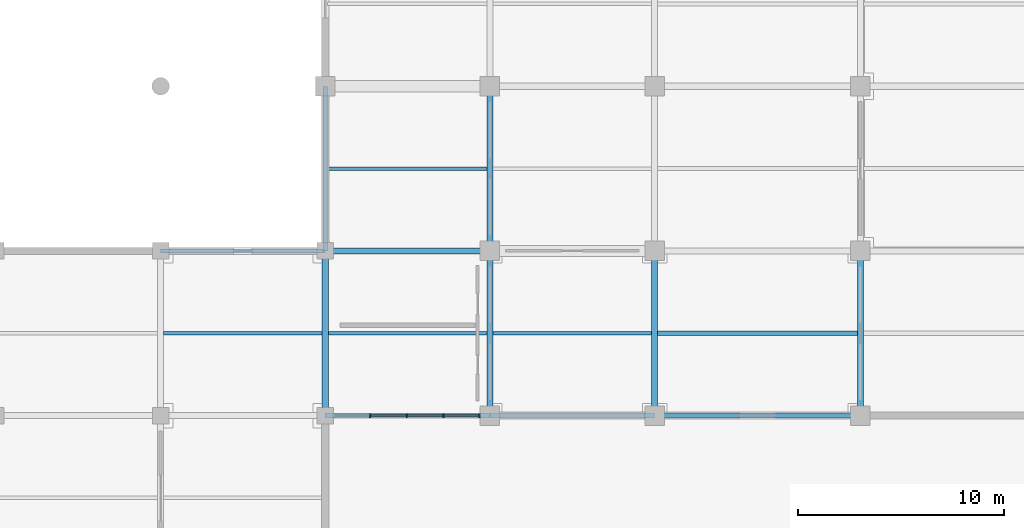
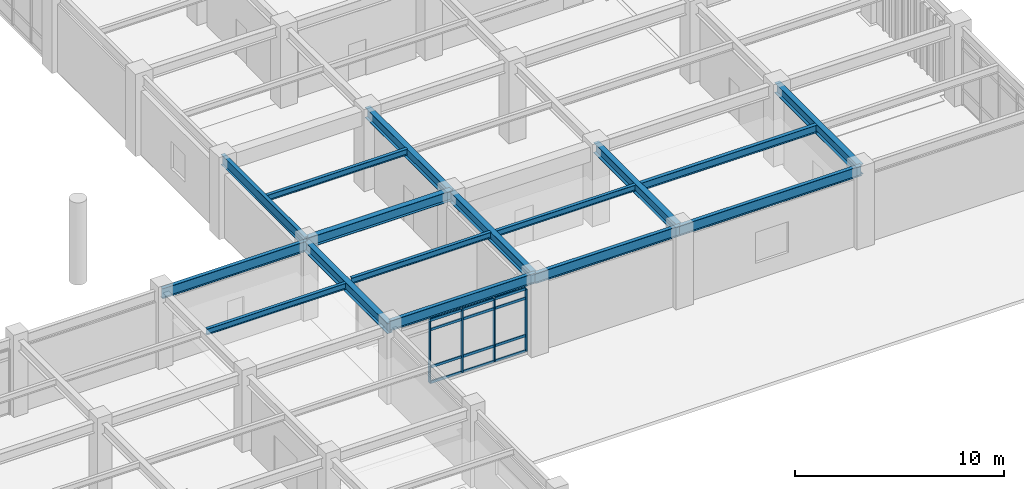
# One storey, part 27 of 109: 16 beams, 16 members, 1 element without a shape of its own.
"""IFC4 building model written with IfcOpenShell, lengths in metres."""

from ifc_helpers import new_model, si_unit, direction, frame, origin, origin_2d, place, context, subcontext, project, spatial, rectangle, i_section, extrude, material, layer, layer_set, material_profile, profile_set, type_object, element, aggregate, save


model = new_model("IFC4")

# Units and contexts
model_context = context("Model", 3, precision=1e-05, world=origin(), true_north=direction((0.0, 1.0)))
body_context = subcontext(model_context, "Body", "Model", "MODEL_VIEW")
ifc_project = project(units=[si_unit("LENGTHUNIT", "METRE"), si_unit("AREAUNIT", "SQUARE_METRE"), si_unit("VOLUMEUNIT", "CUBIC_METRE"), si_unit("PLANEANGLEUNIT", "RADIAN"), si_unit("MASSUNIT", "GRAM", prefix="KILO")], contexts=[model_context])

# Site, building, storey
site_placement = place(None, origin())
site = spatial("IfcSite", under=ifc_project, at=site_placement, CompositionType="ELEMENT")
building_placement = place(site_placement, origin())
building = spatial("IfcBuilding", under=site, at=building_placement, Name="Haebicheon Civic Stadium", CompositionType="ELEMENT")
storey_placement = place(building_placement, frame((0.0, 0.0, 9.60009765625)))
storey = spatial("IfcBuildingStorey", under=building, at=storey_placement, Name="L03", CompositionType="ELEMENT", Elevation=9.60009765625)

# Beams
ifc_material_1 = material(Name="Steel SM355 (S355)", Category="steel")
ifc_material_profile_1 = material_profile(ifc_material_1, i_section(OverallWidth=0.300048828125, OverallDepth=0.60009765625, WebThickness=0.011962890625, FlangeThickness=0.02001953125, at=origin_2d()), Name="H-600x300x12x20")
ifc_profile_set_1 = profile_set([ifc_material_profile_1], Name="Steel SM355 (S355)")
beam_type_1 = type_object("IfcBeamType", Name="BM-ST-H600A", PredefinedType="BEAM", material=ifc_profile_set_1)
for number, where, z_axis, x_axis, name in (
    (1, (200.0, 40.0, 4.099853515625), (0.0, 1.0, 0.0), (-1.0, 0.0, 0.0), "L03 girder 26/F-G"),
    (2, (208.0, 40.0, 4.239990234375), (0.0, 1.0, 0.0), (-1.0, 0.0, 0.0), "L03 girder 27/F-G"),
    (3, (208.0, 48.0, 4.239990234375), (0.0, 1.0, 0.0), (-1.0, 0.0, 0.0), "L03 girder 27/G-H"),
    (4, (216.0, 40.0, 4.239990234375), (0.0, 1.0, 0.0), (-1.0, 0.0, 0.0), "L03 girder 28/F-G"),
    (5, (226.0, 40.0, 4.239990234375), (0.0, 1.0, 0.0), (-1.0, 0.0, 0.0), "L03 girder 29/F-G"),
    (6, (200.0, 48.0, 4.27978515625), (1.0, 0.0, 0.0), (0.0, 1.0, 0.0), "L03 beam G/26-27"),
):
    element("IfcBeam", number, at=place(storey_placement, frame(where, z_axis=z_axis, x_axis=x_axis)), inside=storey, type_object=beam_type_1, material=ifc_profile_set_1, Name=name, PredefinedType="BEAM", context=body_context, shape_type="SweptSolid", body=[
        extrude(i_section(OverallWidth=0.300048828125, OverallDepth=0.60009765625, WebThickness=0.011962890625, FlangeThickness=0.02001953125, at=origin_2d()), origin(), (0.0, 0.0, 1.0), 8.0),
    ])

# Curtain wall, members
ifc_material_2 = material(Name="Anodised aluminium and laminated glass", Category="aluminium")
ifc_layer = layer(ifc_material_2, 0.179931640625, Name="Anodised aluminium and laminated glass")
ifc_layer_set = layer_set([ifc_layer], Name="Anodised aluminium and laminated glass")
curtain_wall_type = type_object("IfcCurtainWallType", Name="CW-7125x3630", PredefinedType="NOTDEFINED", material=ifc_layer_set)
curtain_wall_placement = place(storey_placement, origin())
curtain_wall = element("IfcCurtainWall", 7, at=curtain_wall_placement, inside=storey, type_object=curtain_wall_type, material=ifc_layer_set, Name="L03 unitised curtain wall 097", PredefinedType="NOTDEFINED")
ifc_material_3 = material(Name="Anodised aluminium 6063-T6", Category="aluminium")
ifc_material_profile_2 = material_profile(ifc_material_3, rectangle(XDim=0.070068359375, YDim=0.199951171875, at=origin_2d()), Name="ALU-MULL-70x200")
ifc_profile_set_2 = profile_set([ifc_material_profile_2], Name="Anodised aluminium 6063-T6")
member_type_1 = type_object("IfcMemberType", Name="CWM-200x70", PredefinedType="MULLION", material=ifc_profile_set_2)
member_1_placement = place(storey_placement, frame((202.180908203125, 40.0, 0.159912109375), z_axis=(0.0, 0.0, 1.0), x_axis=(1.0, 0.0, 0.0)))
member_1 = element("IfcMember", 8, at=member_1_placement, type_object=member_type_1, material=ifc_profile_set_2, Name="CW-L03-097 vertical mullion 2", PredefinedType="MULLION", context=body_context, shape_type="SweptSolid", body=[
    extrude(rectangle(XDim=0.070068359375, YDim=0.199951171875, at=origin_2d()), origin(), (0.0, 0.0, 1.0), 3.6298828125),
])
member_2_placement = place(storey_placement, frame((203.9619140625, 40.0, 0.159912109375), z_axis=(0.0, 0.0, 1.0), x_axis=(1.0, 0.0, 0.0)))
member_2 = element("IfcMember", 9, at=member_2_placement, type_object=member_type_1, material=ifc_profile_set_2, Name="CW-L03-097 vertical mullion 3", PredefinedType="MULLION", context=body_context, shape_type="SweptSolid", body=[
    extrude(rectangle(XDim=0.070068359375, YDim=0.199951171875, at=origin_2d()), origin(), (0.0, 0.0, 1.0), 3.6298828125),
])
member_3_placement = place(storey_placement, frame((205.743896484375, 40.0, 0.159912109375), z_axis=(0.0, 0.0, 1.0), x_axis=(1.0, 0.0, 0.0)))
member_3 = element("IfcMember", 10, at=member_3_placement, type_object=member_type_1, material=ifc_profile_set_2, Name="CW-L03-097 vertical mullion 4", PredefinedType="MULLION", context=body_context, shape_type="SweptSolid", body=[
    extrude(rectangle(XDim=0.070068359375, YDim=0.199951171875, at=origin_2d()), origin(), (0.0, 0.0, 1.0), 3.6298828125),
])
member_4_placement = place(storey_placement, frame((207.489990234375, 40.0, 0.159912109375), z_axis=(0.0, 0.0, 1.0), x_axis=(1.0, 0.0, 0.0)))
member_4 = element("IfcMember", 11, at=member_4_placement, type_object=member_type_1, material=ifc_profile_set_2, Name="CW-L03-097 vertical mullion 5", PredefinedType="MULLION", context=body_context, shape_type="SweptSolid", body=[
    extrude(rectangle(XDim=0.070068359375, YDim=0.199951171875, at=origin_2d()), origin(), (0.0, 0.0, 1.0), 3.6298828125),
])
ifc_material_4 = material(Name="Anodised aluminium 6063-T6", Category="aluminium")
ifc_material_profile_3 = material_profile(ifc_material_4, rectangle(XDim=0.070068359375, YDim=0.14990234375, at=origin_2d()), Name="ALU-TRAN-70x150")
ifc_profile_set_3 = profile_set([ifc_material_profile_3], Name="Anodised aluminium 6063-T6")
member_type_2 = type_object("IfcMemberType", Name="CWT-150x70", PredefinedType="NOTDEFINED", material=ifc_profile_set_3)
member_5_placement = place(storey_placement, frame((202.216064453125, 40.0, 0.159912109375), z_axis=(1.0, 0.0, 0.0), x_axis=(0.0, 1.0, 0.0)))
member_5 = element("IfcMember", 12, at=member_5_placement, type_object=member_type_2, material=ifc_profile_set_3, Name="CW-L03-097 horizontal transom 2.1", ObjectType="TRANSOM", PredefinedType="USERDEFINED", context=body_context, shape_type="SweptSolid", body=[
    extrude(rectangle(XDim=0.070068359375, YDim=0.14990234375, at=origin_2d()), origin(), (0.0, 0.0, 1.0), 1.7109375),
])
member_6_placement = place(storey_placement, frame((202.216064453125, 40.0, 1.059814453125), z_axis=(1.0, 0.0, 0.0), x_axis=(0.0, 1.0, 0.0)))
member_6 = element("IfcMember", 13, at=member_6_placement, type_object=member_type_2, material=ifc_profile_set_3, Name="CW-L03-097 horizontal transom 2.2", ObjectType="TRANSOM", PredefinedType="USERDEFINED", context=body_context, shape_type="SweptSolid", body=[
    extrude(rectangle(XDim=0.070068359375, YDim=0.14990234375, at=origin_2d()), origin(), (0.0, 0.0, 1.0), 1.7109375),
])
member_7_placement = place(storey_placement, frame((202.216064453125, 40.0, 3.239990234375), z_axis=(1.0, 0.0, 0.0), x_axis=(0.0, 1.0, 0.0)))
member_7 = element("IfcMember", 14, at=member_7_placement, type_object=member_type_2, material=ifc_profile_set_3, Name="CW-L03-097 horizontal transom 2.3", ObjectType="TRANSOM", PredefinedType="USERDEFINED", context=body_context, shape_type="SweptSolid", body=[
    extrude(rectangle(XDim=0.070068359375, YDim=0.14990234375, at=origin_2d()), origin(), (0.0, 0.0, 1.0), 1.7109375),
])
member_8_placement = place(storey_placement, frame((202.216064453125, 40.0, 3.789794921875), z_axis=(1.0, 0.0, 0.0), x_axis=(0.0, 1.0, 0.0)))
member_8 = element("IfcMember", 15, at=member_8_placement, type_object=member_type_2, material=ifc_profile_set_3, Name="CW-L03-097 horizontal transom 2.4", ObjectType="TRANSOM", PredefinedType="USERDEFINED", context=body_context, shape_type="SweptSolid", body=[
    extrude(rectangle(XDim=0.070068359375, YDim=0.14990234375, at=origin_2d()), origin(), (0.0, 0.0, 1.0), 1.7109375),
])
member_9_placement = place(storey_placement, frame((203.9970703125, 40.0, 0.159912109375), z_axis=(1.0, 0.0, 0.0), x_axis=(0.0, 1.0, 0.0)))
member_9 = element("IfcMember", 16, at=member_9_placement, type_object=member_type_2, material=ifc_profile_set_3, Name="CW-L03-097 horizontal transom 3.1", ObjectType="TRANSOM", PredefinedType="USERDEFINED", context=body_context, shape_type="SweptSolid", body=[
    extrude(rectangle(XDim=0.070068359375, YDim=0.14990234375, at=origin_2d()), origin(), (0.0, 0.0, 1.0), 1.7119140625),
])
member_10_placement = place(storey_placement, frame((203.9970703125, 40.0, 1.059814453125), z_axis=(1.0, 0.0, 0.0), x_axis=(0.0, 1.0, 0.0)))
member_10 = element("IfcMember", 17, at=member_10_placement, type_object=member_type_2, material=ifc_profile_set_3, Name="CW-L03-097 horizontal transom 3.2", ObjectType="TRANSOM", PredefinedType="USERDEFINED", context=body_context, shape_type="SweptSolid", body=[
    extrude(rectangle(XDim=0.070068359375, YDim=0.14990234375, at=origin_2d()), origin(), (0.0, 0.0, 1.0), 1.7119140625),
])
member_11_placement = place(storey_placement, frame((203.9970703125, 40.0, 3.239990234375), z_axis=(1.0, 0.0, 0.0), x_axis=(0.0, 1.0, 0.0)))
member_11 = element("IfcMember", 18, at=member_11_placement, type_object=member_type_2, material=ifc_profile_set_3, Name="CW-L03-097 horizontal transom 3.3", ObjectType="TRANSOM", PredefinedType="USERDEFINED", context=body_context, shape_type="SweptSolid", body=[
    extrude(rectangle(XDim=0.070068359375, YDim=0.14990234375, at=origin_2d()), origin(), (0.0, 0.0, 1.0), 1.7119140625),
])
member_12_placement = place(storey_placement, frame((203.9970703125, 40.0, 3.789794921875), z_axis=(1.0, 0.0, 0.0), x_axis=(0.0, 1.0, 0.0)))
member_12 = element("IfcMember", 19, at=member_12_placement, type_object=member_type_2, material=ifc_profile_set_3, Name="CW-L03-097 horizontal transom 3.4", ObjectType="TRANSOM", PredefinedType="USERDEFINED", context=body_context, shape_type="SweptSolid", body=[
    extrude(rectangle(XDim=0.070068359375, YDim=0.14990234375, at=origin_2d()), origin(), (0.0, 0.0, 1.0), 1.7119140625),
])
member_13_placement = place(storey_placement, frame((205.779052734375, 40.0, 0.159912109375), z_axis=(1.0, 0.0, 0.0), x_axis=(0.0, 1.0, 0.0)))
member_13 = element("IfcMember", 20, at=member_13_placement, type_object=member_type_2, material=ifc_profile_set_3, Name="CW-L03-097 horizontal transom 4.1", ObjectType="TRANSOM", PredefinedType="USERDEFINED", context=body_context, shape_type="SweptSolid", body=[
    extrude(rectangle(XDim=0.070068359375, YDim=0.14990234375, at=origin_2d()), origin(), (0.0, 0.0, 1.0), 1.676025390625),
])
member_14_placement = place(storey_placement, frame((205.779052734375, 40.0, 1.059814453125), z_axis=(1.0, 0.0, 0.0), x_axis=(0.0, 1.0, 0.0)))
member_14 = element("IfcMember", 21, at=member_14_placement, type_object=member_type_2, material=ifc_profile_set_3, Name="CW-L03-097 horizontal transom 4.2", ObjectType="TRANSOM", PredefinedType="USERDEFINED", context=body_context, shape_type="SweptSolid", body=[
    extrude(rectangle(XDim=0.070068359375, YDim=0.14990234375, at=origin_2d()), origin(), (0.0, 0.0, 1.0), 1.676025390625),
])
member_15_placement = place(storey_placement, frame((205.779052734375, 40.0, 3.239990234375), z_axis=(1.0, 0.0, 0.0), x_axis=(0.0, 1.0, 0.0)))
member_15 = element("IfcMember", 22, at=member_15_placement, type_object=member_type_2, material=ifc_profile_set_3, Name="CW-L03-097 horizontal transom 4.3", ObjectType="TRANSOM", PredefinedType="USERDEFINED", context=body_context, shape_type="SweptSolid", body=[
    extrude(rectangle(XDim=0.070068359375, YDim=0.14990234375, at=origin_2d()), origin(), (0.0, 0.0, 1.0), 1.676025390625),
])
member_16_placement = place(storey_placement, frame((205.779052734375, 40.0, 3.789794921875), z_axis=(1.0, 0.0, 0.0), x_axis=(0.0, 1.0, 0.0)))
member_16 = element("IfcMember", 23, at=member_16_placement, type_object=member_type_2, material=ifc_profile_set_3, Name="CW-L03-097 horizontal transom 4.4", ObjectType="TRANSOM", PredefinedType="USERDEFINED", context=body_context, shape_type="SweptSolid", body=[
    extrude(rectangle(XDim=0.070068359375, YDim=0.14990234375, at=origin_2d()), origin(), (0.0, 0.0, 1.0), 1.676025390625),
])
aggregate(curtain_wall, [member_1, member_2, member_3, member_4, member_5, member_6, member_7, member_8, member_9, member_10, member_11, member_12, member_13, member_14, member_15, member_16])

# Beams
ifc_material_5 = material(Name="Steel SM355 (S355)", Category="steel")
ifc_material_profile_4 = material_profile(ifc_material_5, i_section(OverallWidth=0.175048828125, OverallDepth=0.35009765625, WebThickness=0.007080078125, FlangeThickness=0.010986328125, at=origin_2d()), Name="H-350x175x7x11")
ifc_profile_set_4 = profile_set([ifc_material_profile_4], Name="Steel SM355 (S355)")
beam_type_2 = type_object("IfcBeamType", Name="JST-ST-H350", PredefinedType="JOIST", material=ifc_profile_set_4)
for number, where, z_axis, x_axis, name in (
    (24, (192.14990234375, 44.0, 4.224853515625), (1.0, 0.0, 0.0), (0.0, 1.0, 0.0), "L03 secondary joist 24-05"),
    (25, (200.14990234375, 44.0, 4.40478515625), (1.0, 0.0, 0.0), (0.0, 1.0, 0.0), "L03 secondary joist 25-05"),
):
    element("IfcBeam", number, at=place(storey_placement, frame(where, z_axis=z_axis, x_axis=x_axis)), inside=storey, type_object=beam_type_2, material=ifc_profile_set_4, Name=name, PredefinedType="JOIST", context=body_context, shape_type="SweptSolid", body=[
        extrude(i_section(OverallWidth=0.175048828125, OverallDepth=0.35009765625, WebThickness=0.007080078125, FlangeThickness=0.010986328125, at=origin_2d()), origin(), (0.0, 0.0, 1.0), 7.7001953125),
    ])
beam_1_placement = place(storey_placement, frame((200.10009765625, 52.0, 4.40478515625), z_axis=(1.0, 0.0, 0.0), x_axis=(0.0, 1.0, 0.0)))
element("IfcBeam", 26, at=beam_1_placement, inside=storey, type_object=beam_type_2, material=ifc_profile_set_4, Name="L03 secondary joist 25-06", PredefinedType="JOIST", context=body_context, shape_type="SweptSolid", body=[
    extrude(i_section(OverallWidth=0.175048828125, OverallDepth=0.35009765625, WebThickness=0.007080078125, FlangeThickness=0.010986328125, at=origin_2d()), origin(), (0.0, 0.0, 1.0), 7.75),
])
beam_2_placement = place(storey_placement, frame((208.14990234375, 44.0, 4.364990234375), z_axis=(1.0, 0.0, 0.0), x_axis=(0.0, 1.0, 0.0)))
element("IfcBeam", 27, at=beam_2_placement, inside=storey, type_object=beam_type_2, material=ifc_profile_set_4, Name="L03 secondary joist 26-05", PredefinedType="JOIST", context=body_context, shape_type="SweptSolid", body=[
    extrude(i_section(OverallWidth=0.175048828125, OverallDepth=0.35009765625, WebThickness=0.007080078125, FlangeThickness=0.010986328125, at=origin_2d()), origin(), (0.0, 0.0, 1.0), 7.7001953125),
])
ifc_material_6 = material(Name="Steel SM355 (S355)", Category="steel")
ifc_material_profile_5 = material_profile(ifc_material_6, i_section(OverallWidth=0.199951171875, OverallDepth=0.449951171875, WebThickness=0.009033203125, FlangeThickness=0.013916015625, at=origin_2d()), Name="H-450x200x9x14")
ifc_profile_set_5 = profile_set([ifc_material_profile_5], Name="Steel SM355 (S355)")
beam_type_3 = type_object("IfcBeamType", Name="JST-ST-H450", PredefinedType="JOIST", material=ifc_profile_set_5)
beam_3_placement = place(storey_placement, frame((216.14990234375, 44.0, 4.31494140625), z_axis=(1.0, 0.0, 0.0), x_axis=(0.0, 1.0, 0.0)))
element("IfcBeam", 28, at=beam_3_placement, inside=storey, type_object=beam_type_3, material=ifc_profile_set_5, Name="L03 secondary joist 27-05", PredefinedType="JOIST", context=body_context, shape_type="SweptSolid", body=[
    extrude(i_section(OverallWidth=0.199951171875, OverallDepth=0.449951171875, WebThickness=0.009033203125, FlangeThickness=0.013916015625, at=origin_2d()), origin(), (0.0, 0.0, 1.0), 9.7001953125),
])
ifc_material_7 = material(Name="Steel SM355 (S355)", Category="steel")
ifc_material_profile_6 = material_profile(ifc_material_7, i_section(OverallWidth=0.199951171875, OverallDepth=0.60009765625, WebThickness=0.010986328125, FlangeThickness=0.01708984375, at=origin_2d()), Name="H-600x200x11x17")
ifc_profile_set_6 = profile_set([ifc_material_profile_6], Name="Steel SM355 (S355)")
beam_type_4 = type_object("IfcBeamType", Name="SPD-ST-H600B", PredefinedType="SPANDREL", material=ifc_profile_set_6)
for number, where, z_axis, x_axis, name in (
    (29, (200.0, 48.0, 4.27978515625), (0.0, 1.0, 0.0), (-1.0, 0.0, 0.0), "L03 girder 26/G-H"),
    (30, (192.0, 48.0, 4.099853515625), (1.0, 0.0, 0.0), (0.0, 1.0, 0.0), "L03 beam G/25-26"),
    (31, (200.0, 40.0, 4.27978515625), (1.0, 0.0, 0.0), (0.0, 1.0, 0.0), "L03 beam F/26-27"),
    (32, (208.0, 40.0, 4.239990234375), (1.0, 0.0, 0.0), (0.0, 1.0, 0.0), "L03 beam F/27-28"),
):
    element("IfcBeam", number, at=place(storey_placement, frame(where, z_axis=z_axis, x_axis=x_axis)), inside=storey, type_object=beam_type_4, material=ifc_profile_set_6, Name=name, PredefinedType="SPANDREL", context=body_context, shape_type="SweptSolid", body=[
        extrude(i_section(OverallWidth=0.199951171875, OverallDepth=0.60009765625, WebThickness=0.010986328125, FlangeThickness=0.01708984375, at=origin_2d()), origin(), (0.0, 0.0, 1.0), 8.0),
    ])
beam_4_placement = place(storey_placement, frame((216.0, 40.0, 4.239990234375), z_axis=(1.0, 0.0, 0.0), x_axis=(0.0, 1.0, 0.0)))
element("IfcBeam", 33, at=beam_4_placement, inside=storey, type_object=beam_type_4, material=ifc_profile_set_6, Name="L03 beam F/28-29", PredefinedType="SPANDREL", context=body_context, shape_type="SweptSolid", body=[
    extrude(i_section(OverallWidth=0.199951171875, OverallDepth=0.60009765625, WebThickness=0.010986328125, FlangeThickness=0.01708984375, at=origin_2d()), origin(), (0.0, 0.0, 1.0), 10.0),
])

save(model, "model.ifc")
